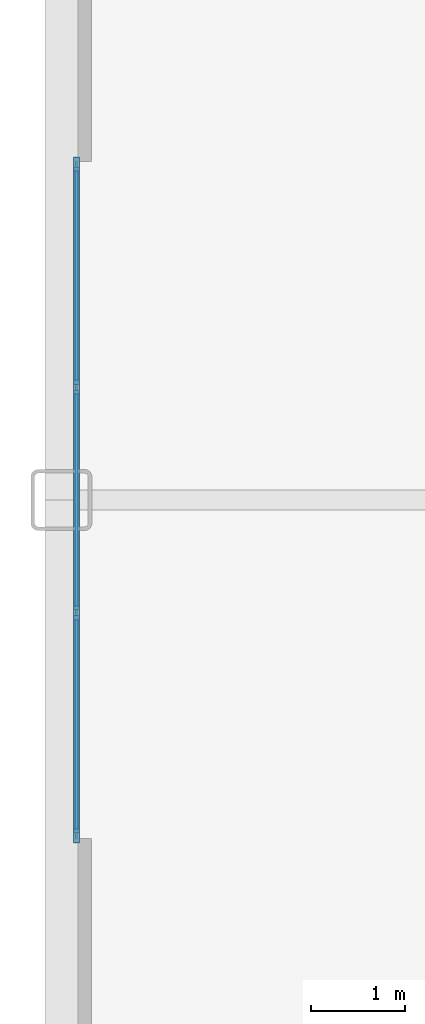
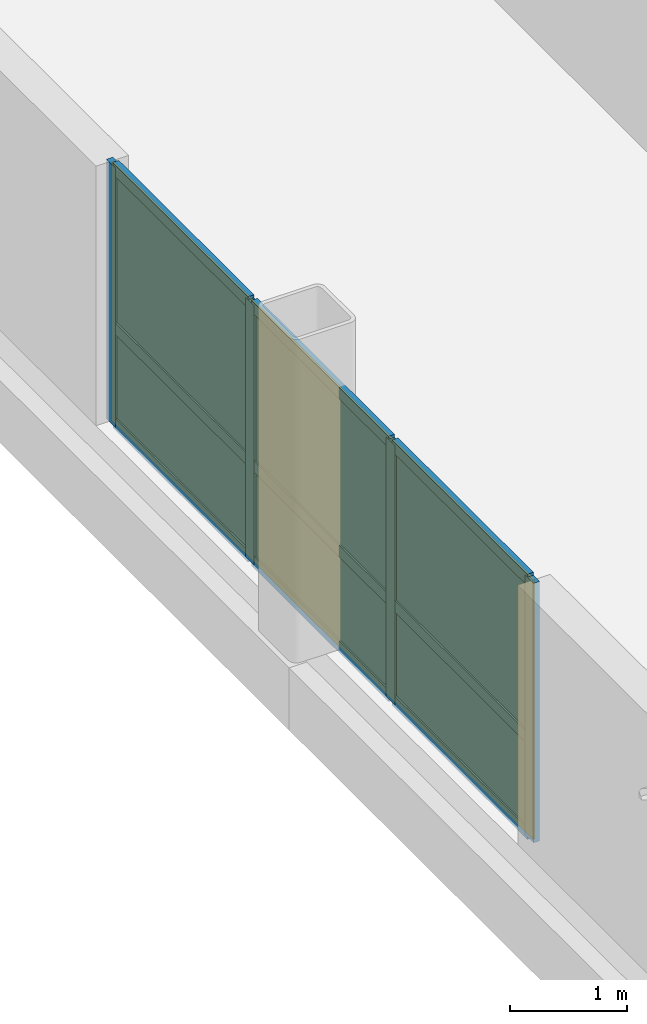
# One storey, part 10 of 15: 13 members, 6 plates, 1 curtain wall.
"""IFC4 building model written with IfcOpenShell, lengths in metres."""

from ifc_helpers import new_model, si_unit, direction, frame, frame_2d, origin, origin_2d, place, context, subcontext, project, spatial, rectangle, extrude, source, transform, mapped, material, layer, layer_set, material_profile, profile_set, type_object, type_shapes, element, aggregate, save


model = new_model("IFC4")

# Units and contexts
model_context = context("Model", 3, precision=1e-05, world=origin(), true_north=direction((0.0, 1.0)))
body_context = subcontext(model_context, "Body", "Model", "MODEL_VIEW")
ifc_project = project(units=[si_unit("LENGTHUNIT", "METRE"), si_unit("AREAUNIT", "SQUARE_METRE"), si_unit("VOLUMEUNIT", "CUBIC_METRE"), si_unit("PLANEANGLEUNIT", "RADIAN"), si_unit("MASSUNIT", "GRAM", prefix="KILO")], contexts=[model_context])

# Member
ifc_material_1 = material(Name="Anodised aluminium 6063-T6", Category="aluminium")
ifc_material_profile_1 = material_profile(ifc_material_1, rectangle(XDim=0.06005859375, YDim=0.14990234375, at=origin_2d()), Name="ALU-MULL-60x150")
ifc_profile_set_1 = profile_set([ifc_material_profile_1], Name="Anodised aluminium 6063-T6")
member_type_1 = type_object("IfcMemberType", Name="CWM-3", PredefinedType="MULLION", material=ifc_profile_set_1)
site_placement = place(None, origin())
building_placement = place(site_placement, origin())
storey_placement = place(building_placement, frame((0.0, 0.0, 123.85009765625)))
member_1_placement = place(storey_placement, frame((-26.239990234375, -3.570068359375, 0.0), z_axis=(0.0, 0.0, 1.0), x_axis=(-1.0, 0.0, 0.0)))
member_1 = element("IfcMember", 1, at=member_1_placement, type_object=member_type_1, Name="CWS-3 mullion 1", PredefinedType="MULLION", context=body_context, shape_type="SweptSolid", body=[
    extrude(rectangle(XDim=0.06005859375, YDim=0.14990234375, at=origin_2d()), origin(), (0.0, 0.0, 1.0), 2.704833984375),
])

member_2_placement = place(storey_placement, frame((-26.239990234375, -1.199951171875, 0.0), z_axis=(0.0, 0.0, 1.0), x_axis=(-1.0, 0.0, 0.0)))
member_2 = element("IfcMember", 2, at=member_2_placement, type_object=member_type_1, Name="CWS-3 mullion 2", PredefinedType="MULLION", context=body_context, shape_type="SweptSolid", body=[
    extrude(rectangle(XDim=0.06005859375, YDim=0.14990234375, at=origin_2d()), origin(), (0.0, 0.0, 1.0), 2.704833984375),
])

member_3_placement = place(storey_placement, frame((-26.239990234375, 1.199951171875, 0.0), z_axis=(0.0, 0.0, 1.0), x_axis=(-1.0, 0.0, 0.0)))
member_3 = element("IfcMember", 3, at=member_3_placement, type_object=member_type_1, Name="CWS-3 mullion 3", PredefinedType="MULLION", context=body_context, shape_type="SweptSolid", body=[
    extrude(rectangle(XDim=0.06005859375, YDim=0.14990234375, at=origin_2d()), origin(), (0.0, 0.0, 1.0), 2.704833984375),
])

member_4_placement = place(storey_placement, frame((-26.239990234375, 3.570068359375, 0.0), z_axis=(0.0, 0.0, 1.0), x_axis=(-1.0, 0.0, 0.0)))
member_4 = element("IfcMember", 4, at=member_4_placement, type_object=member_type_1, Name="CWS-3 mullion 4", PredefinedType="MULLION", context=body_context, shape_type="SweptSolid", body=[
    extrude(rectangle(XDim=0.06005859375, YDim=0.14990234375, at=origin_2d()), origin(), (0.0, 0.0, 1.0), 2.704833984375),
])

ifc_material_profile_2 = material_profile(ifc_material_1, rectangle(XDim=0.06005859375, YDim=0.1201171875, at=origin_2d()), Name="ALU-TRAN-60x120")
ifc_profile_set_2 = profile_set([ifc_material_profile_2], Name="Anodised aluminium 6063-T6")
member_type_2 = type_object("IfcMemberType", Name="CWT-3", PredefinedType="USERDEFINED", material=ifc_profile_set_2)
member_5_placement = place(storey_placement, frame((-26.239990234375, -3.5400390625, 0.02978515625), z_axis=(0.0, 1.0, 0.0), x_axis=(-1.0, 0.0, 0.0)))
member_5 = element("IfcMember", 5, at=member_5_placement, type_object=member_type_2, Name="CWS-3 transom 1.1", ObjectType="TRANSOM", PredefinedType="USERDEFINED", context=body_context, shape_type="SweptSolid", body=[
    extrude(rectangle(XDim=0.06005859375, YDim=0.1201171875, at=origin_2d()), origin(), (0.0, 0.0, 1.0), 2.31005859375),
])

member_6_placement = place(storey_placement, frame((-26.239990234375, -3.5400390625, 1.02783203125), z_axis=(0.0, 1.0, 0.0), x_axis=(-1.0, 0.0, 0.0)))
member_6 = element("IfcMember", 6, at=member_6_placement, type_object=member_type_2, Name="CWS-3 transom 1.2", ObjectType="TRANSOM", PredefinedType="USERDEFINED", context=body_context, shape_type="SweptSolid", body=[
    extrude(rectangle(XDim=0.06005859375, YDim=0.1201171875, at=origin_2d()), origin(), (0.0, 0.0, 1.0), 2.31005859375),
])

member_7_placement = place(storey_placement, frame((-26.239990234375, -3.5400390625, 2.6748046875), z_axis=(0.0, 1.0, 0.0), x_axis=(-1.0, 0.0, 0.0)))
member_7 = element("IfcMember", 7, at=member_7_placement, type_object=member_type_2, Name="CWS-3 transom 1.3", ObjectType="TRANSOM", PredefinedType="USERDEFINED", context=body_context, shape_type="SweptSolid", body=[
    extrude(rectangle(XDim=0.06005859375, YDim=0.1201171875, at=origin_2d()), origin(), (0.0, 0.0, 1.0), 2.31005859375),
])

member_8_placement = place(storey_placement, frame((-26.239990234375, -1.169921875, 0.02978515625), z_axis=(0.0, 1.0, 0.0), x_axis=(-1.0, 0.0, 0.0)))
member_8 = element("IfcMember", 8, at=member_8_placement, type_object=member_type_2, Name="CWS-3 transom 2.1", ObjectType="TRANSOM", PredefinedType="USERDEFINED", context=body_context, shape_type="SweptSolid", body=[
    extrude(rectangle(XDim=0.06005859375, YDim=0.1201171875, at=origin_2d()), origin(), (0.0, 0.0, 1.0), 2.33984375),
])

member_9_placement = place(storey_placement, frame((-26.239990234375, -1.169921875, 1.02783203125), z_axis=(0.0, 1.0, 0.0), x_axis=(-1.0, 0.0, 0.0)))
member_9 = element("IfcMember", 9, at=member_9_placement, type_object=member_type_2, Name="CWS-3 transom 2.2", ObjectType="TRANSOM", PredefinedType="USERDEFINED", context=body_context, shape_type="SweptSolid", body=[
    extrude(rectangle(XDim=0.06005859375, YDim=0.1201171875, at=origin_2d()), origin(), (0.0, 0.0, 1.0), 2.33984375),
])

member_10_placement = place(storey_placement, frame((-26.239990234375, -1.169921875, 2.6748046875), z_axis=(0.0, 1.0, 0.0), x_axis=(-1.0, 0.0, 0.0)))
member_10 = element("IfcMember", 10, at=member_10_placement, type_object=member_type_2, Name="CWS-3 transom 2.3", ObjectType="TRANSOM", PredefinedType="USERDEFINED", context=body_context, shape_type="SweptSolid", body=[
    extrude(rectangle(XDim=0.06005859375, YDim=0.1201171875, at=origin_2d()), origin(), (0.0, 0.0, 1.0), 2.33984375),
])

member_11_placement = place(storey_placement, frame((-26.239990234375, 1.22998046875, 0.02978515625), z_axis=(0.0, 1.0, 0.0), x_axis=(-1.0, 0.0, 0.0)))
member_11 = element("IfcMember", 11, at=member_11_placement, type_object=member_type_2, Name="CWS-3 transom 3.1", ObjectType="TRANSOM", PredefinedType="USERDEFINED", context=body_context, shape_type="SweptSolid", body=[
    extrude(rectangle(XDim=0.06005859375, YDim=0.1201171875, at=origin_2d()), origin(), (0.0, 0.0, 1.0), 2.31005859375),
])

member_12_placement = place(storey_placement, frame((-26.239990234375, 1.22998046875, 1.02783203125), z_axis=(0.0, 1.0, 0.0), x_axis=(-1.0, 0.0, 0.0)))
member_12 = element("IfcMember", 12, at=member_12_placement, type_object=member_type_2, Name="CWS-3 transom 3.2", ObjectType="TRANSOM", PredefinedType="USERDEFINED", context=body_context, shape_type="SweptSolid", body=[
    extrude(rectangle(XDim=0.06005859375, YDim=0.1201171875, at=origin_2d()), origin(), (0.0, 0.0, 1.0), 2.31005859375),
])

member_13_placement = place(storey_placement, frame((-26.239990234375, 1.22998046875, 2.6748046875), z_axis=(0.0, 1.0, 0.0), x_axis=(-1.0, 0.0, 0.0)))
member_13 = element("IfcMember", 13, at=member_13_placement, type_object=member_type_2, Name="CWS-3 transom 3.3", ObjectType="TRANSOM", PredefinedType="USERDEFINED", context=body_context, shape_type="SweptSolid", body=[
    extrude(rectangle(XDim=0.06005859375, YDim=0.1201171875, at=origin_2d()), origin(), (0.0, 0.0, 1.0), 2.31005859375),
])

# Plate
ifc_material_2 = material(Name="Insulated solar-control glass", Category="glass")
ifc_layer_1 = layer(ifc_material_2, 0.028076171875, Name="CWP-3")
ifc_layer_set_1 = layer_set([ifc_layer_1], Name="Insulated solar-control glass")
plate_type = type_object("IfcPlateType", Name="CWP-3", PredefinedType="CURTAIN_PANEL", material=ifc_layer_set_1)
shared_shape_1 = source(origin(), body_context, "Body", "SweptSolid", [
    extrude(rectangle(XDim=2.31005859375, YDim=0.028076171875, at=origin_2d()), origin(), (0.0, 0.0, 1.0), 0.93798828125),
])
plate_1_placement = place(storey_placement, frame((-26.239990234375, -2.385009765625, 0.059814453125), z_axis=(0.0, 0.0, 1.0), x_axis=(0.0, 1.0, 0.0)))
plate_1 = element("IfcPlate", 14, at=plate_1_placement, type_object=plate_type, Name="CWS-3 panel 1.1", PredefinedType="CURTAIN_PANEL", context=body_context, shape_type="MappedRepresentation", body=[
    mapped(shared_shape_1, transform((0.0, 0.0, 0.0), scale=1.0)),
])

plate_2_placement = place(storey_placement, frame((-26.239990234375, 2.385009765625, 0.059814453125), z_axis=(0.0, 0.0, 1.0), x_axis=(0.0, 1.0, 0.0)))
plate_2 = element("IfcPlate", 15, at=plate_2_placement, type_object=plate_type, Name="CWS-3 panel 3.1", PredefinedType="CURTAIN_PANEL", context=body_context, shape_type="MappedRepresentation", body=[
    mapped(shared_shape_1, transform((0.0, 0.0, 0.0), scale=1.0)),
])

shared_shape_2 = source(origin(), body_context, "Body", "SweptSolid", [
    extrude(rectangle(XDim=2.31005859375, YDim=0.028076171875, at=origin_2d()), origin(), (0.0, 0.0, 1.0), 1.587158203125),
])
plate_3_placement = place(storey_placement, frame((-26.239990234375, -2.385009765625, 1.0576171875), z_axis=(0.0, 0.0, 1.0), x_axis=(0.0, 1.0, 0.0)))
plate_3 = element("IfcPlate", 16, at=plate_3_placement, type_object=plate_type, Name="CWS-3 panel 1.2", PredefinedType="CURTAIN_PANEL", context=body_context, shape_type="MappedRepresentation", body=[
    mapped(shared_shape_2, transform((0.0, 0.0, 0.0), scale=1.0)),
])

plate_4_placement = place(storey_placement, frame((-26.239990234375, 2.385009765625, 1.0576171875), z_axis=(0.0, 0.0, 1.0), x_axis=(0.0, 1.0, 0.0)))
plate_4 = element("IfcPlate", 17, at=plate_4_placement, type_object=plate_type, Name="CWS-3 panel 3.2", PredefinedType="CURTAIN_PANEL", context=body_context, shape_type="MappedRepresentation", body=[
    mapped(shared_shape_2, transform((0.0, 0.0, 0.0), scale=1.0)),
])

shared_shape_3 = source(origin(), body_context, "Body", "SweptSolid", [
    extrude(rectangle(XDim=2.340087890625, YDim=0.028076171875, at=origin_2d()), origin(), (0.0, 0.0, 1.0), 0.93798828125),
])
plate_5_placement = place(storey_placement, frame((-26.239990234375, 0.0, 0.059814453125), z_axis=(0.0, 0.0, 1.0), x_axis=(0.0, 1.0, 0.0)))
plate_5 = element("IfcPlate", 18, at=plate_5_placement, type_object=plate_type, Name="CWS-3 panel 2.1", PredefinedType="CURTAIN_PANEL", context=body_context, shape_type="MappedRepresentation", body=[
    mapped(shared_shape_3, transform((0.0, 0.0, 0.0), scale=1.0)),
])

shared_shape_4 = source(origin(), body_context, "Body", "SweptSolid", [
    extrude(rectangle(XDim=2.340087890625, YDim=0.028076171875, at=origin_2d()), origin(), (0.0, 0.0, 1.0), 1.587158203125),
])
type_shapes(plate_type, [shared_shape_1, shared_shape_2, shared_shape_3, shared_shape_4])
plate_6_placement = place(storey_placement, frame((-26.239990234375, 0.0, 1.0576171875), z_axis=(0.0, 0.0, 1.0), x_axis=(0.0, 1.0, 0.0)))
plate_6 = element("IfcPlate", 19, at=plate_6_placement, type_object=plate_type, Name="CWS-3 panel 2.2", PredefinedType="CURTAIN_PANEL", context=body_context, shape_type="MappedRepresentation", body=[
    mapped(shared_shape_4, transform((0.0, 0.0, 0.0), scale=1.0)),
])

# Site, building, storey
site = spatial("IfcSite", under=ifc_project, at=site_placement, CompositionType="ELEMENT")
building = spatial("IfcBuilding", under=site, at=building_placement, Name="Nuvemarco Arch Tower", CompositionType="ELEMENT")
storey = spatial("IfcBuildingStorey", under=building, at=storey_placement, Name="L32", CompositionType="ELEMENT", Elevation=123.85009765625)

# Curtain wall
ifc_layer_2 = layer(ifc_material_2, 0.14990234375, Name="CW-SYS-3")
ifc_layer_set_2 = layer_set([ifc_layer_2], Name="Insulated solar-control glass")
curtain_wall_type = type_object("IfcCurtainWallType", Name="CW-SYS-3", PredefinedType="NOTDEFINED", material=ifc_layer_set_2)
curtain_wall_placement = place(storey_placement, frame((-26.239990234375, -3.60009765625, 0.0), z_axis=(0.0, 0.0, 1.0), x_axis=(0.0, 1.0, 0.0)))
curtain_wall = element("IfcCurtainWall", 20, at=curtain_wall_placement, inside=storey, type_object=curtain_wall_type, Name="L32 curtain wall CWS-3", PredefinedType="NOTDEFINED", context=body_context, shape_type="SweptSolid", body=[
    extrude(rectangle(XDim=7.2001953125, YDim=0.02001953125, at=frame_2d((3.60009765625, 0.0))), origin(), (0.0, 0.0, 1.0), 2.704833984375),
])

aggregate(curtain_wall, [member_1, member_2, member_3, member_4, member_5, member_6, member_7, plate_1, plate_3, member_8, member_9, member_10, plate_5, plate_6, member_11, member_12, member_13, plate_2, plate_4])

save(model, "model.ifc")
